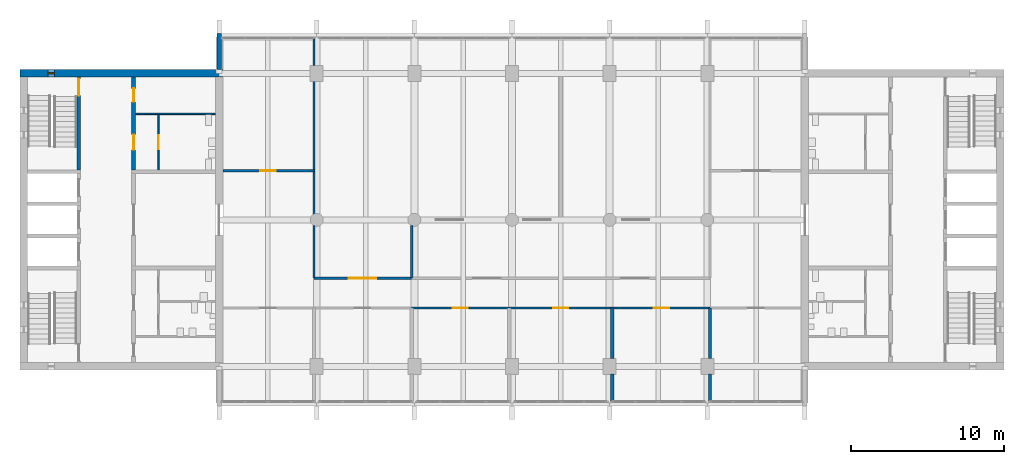
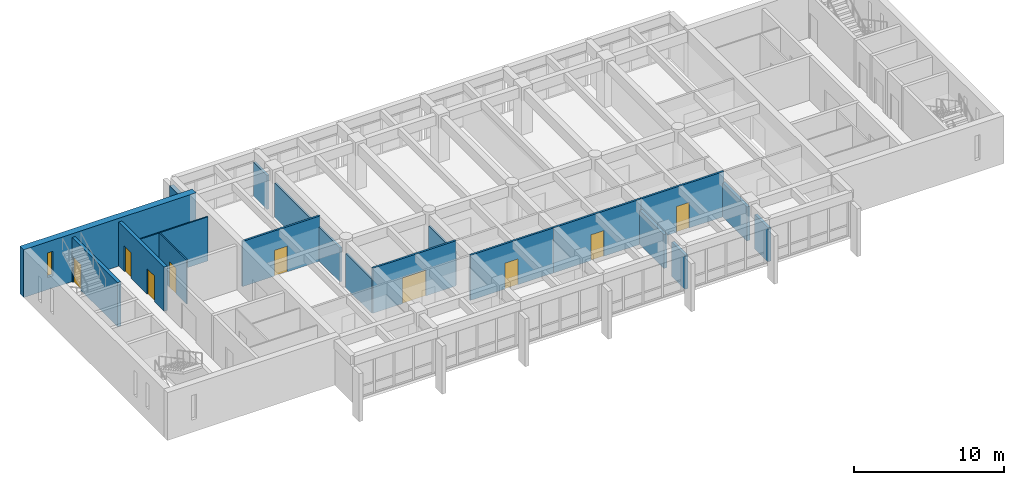
# One storey, part 10 of 15: 19 walls, 9 doors, 1 window, 10 openings.
"""IFC4 building model written with IfcOpenShell, lengths in metres."""

from ifc_helpers import new_model, si_unit, direction, frame, frame_2d, origin, place, context, subcontext, project, spatial, rectangle, extrude, material, layer, layer_set, type_object, element, fill, save


model = new_model("IFC4")

# Units and contexts
model_context = context("Model", 3, precision=1e-05, world=origin(), true_north=direction((0.0, 1.0)))
body_context = subcontext(model_context, "Body", "Model", "MODEL_VIEW")
ifc_project = project(units=[si_unit("LENGTHUNIT", "METRE"), si_unit("AREAUNIT", "SQUARE_METRE"), si_unit("VOLUMEUNIT", "CUBIC_METRE"), si_unit("PLANEANGLEUNIT", "RADIAN"), si_unit("MASSUNIT", "GRAM", prefix="KILO")], contexts=[model_context])

# Site, building, storey
site_placement = place(None, origin())
site = spatial("IfcSite", under=ifc_project, at=site_placement, CompositionType="ELEMENT")
building_placement = place(site_placement, origin())
building = spatial("IfcBuilding", under=site, at=building_placement, Name="Fogon Plaza Fire Station and Headquarters Tower", CompositionType="ELEMENT")
storey_placement = place(building_placement, frame((0.0, 0.0, 56.10009765625)))
storey = spatial("IfcBuildingStorey", under=building, at=storey_placement, Name="L14", CompositionType="ELEMENT", Elevation=56.10009765625)

# Wall, opening, door
ifc_material_1 = material(Name="Concrete C40", Category="concrete")
ifc_layer_1 = layer(ifc_material_1, 0.25)
ifc_layer_set_1 = layer_set([ifc_layer_1], Name="Concrete C40")
wall_type_1 = type_object("IfcWallType", Name="Core Wall RC 250", PredefinedType="SOLIDWALL", material=ifc_layer_set_1)
wall_1_placement = place(storey_placement, frame((16.39990234375, 46.47509765625, 0.0), z_axis=(0.0, 0.0, 1.0), x_axis=(0.0, 1.0, 0.0)))
wall_1 = element("IfcWall", 1, at=wall_1_placement, inside=storey, type_object=wall_type_1, Name="Core A shaft wall", PredefinedType="SOLIDWALL", context=body_context, shape_type="SweptSolid", body=[
    extrude(rectangle(XDim=6.074951171875, YDim=0.25, at=frame_2d((3.03759765625, 0.0))), origin(), (0.0, 0.0, 1.0), 3.599853515625),
])
opening_1_placement = place(wall_1_placement, frame((4.875, 0.0, 0.0)))
opening_1 = element("IfcOpeningElement", 2, at=opening_1_placement, cuts=wall_1, Name="Opening L14-D02", PredefinedType="OPENING", context=body_context, shape_type="SweptSolid", body=[
    extrude(rectangle(XDim=1.10009765625, YDim=2.10009765625, at=frame_2d((0.550048828125, 1.050048828125))), frame((0.0, 0.135009765625, 0.0), z_axis=(0.0, -1.0, 0.0), x_axis=(1.0, 0.0, 0.0)), (0.0, 0.0, 1.0), 0.27001953125),
])
ifc_material_2 = material(Name="Steel Fire Door Leaf", Category="steel")
door_type_1 = type_object("IfcDoorType", Name="Stair Door Single 1100x2100", OperationType="SINGLE_SWING_LEFT", PredefinedType="DOOR", material=ifc_material_2)
door_1_placement = place(opening_1_placement, origin())
door_1 = element("IfcDoor", 3, at=door_1_placement, inside=storey, type_object=door_type_1, Name="Stair door ST2", OperationType="SINGLE_SWING_RIGHT", OverallHeight=2.10009765625, OverallWidth=1.10009765625, PredefinedType="DOOR", context=body_context, shape_type="SweptSolid", body=[
    extrude(rectangle(XDim=1.10009765625, YDim=2.10009765625, at=frame_2d((0.550048828125, 1.050048828125))), frame((0.0, 0.02490234375, 0.0), z_axis=(0.0, -1.0, 0.0), x_axis=(1.0, 0.0, 0.0)), (0.0, 0.0, 1.0), 0.050048828125),
])
fill(opening_1, door_1)

# Wall, openings, doors
wall_2_placement = place(storey_placement, frame((20.0, 46.47509765625, 0.0), z_axis=(0.0, 0.0, 1.0), x_axis=(0.0, 1.0, 0.0)))
wall_2 = element("IfcWall", 4, at=wall_2_placement, inside=storey, type_object=wall_type_1, Name="Core A shaft wall", PredefinedType="SOLIDWALL", context=body_context, shape_type="SweptSolid", body=[
    extrude(rectangle(XDim=6.074951171875, YDim=0.25, at=frame_2d((3.03759765625, 0.0))), origin(), (0.0, 0.0, 1.0), 3.599853515625),
])
opening_2_placement = place(wall_2_placement, frame((1.3125, 0.0, 0.0)))
opening_2 = element("IfcOpeningElement", 5, at=opening_2_placement, cuts=wall_2, Name="Opening L14-D12", PredefinedType="OPENING", context=body_context, shape_type="SweptSolid", body=[
    extrude(rectangle(XDim=1.0, YDim=2.10009765625, at=frame_2d((0.5, 1.050048828125))), frame((0.0, 0.135009765625, 0.0), z_axis=(0.0, -1.0, 0.0), x_axis=(1.0, 0.0, 0.0)), (0.0, 0.0, 1.0), 0.27001953125),
])
opening_3_placement = place(wall_2_placement, frame((4.449951171875, 0.0, 0.0)))
opening_3 = element("IfcOpeningElement", 6, at=opening_3_placement, cuts=wall_2, Name="Opening L14-D14", PredefinedType="OPENING", context=body_context, shape_type="SweptSolid", body=[
    extrude(rectangle(XDim=0.89990234375, YDim=2.10009765625, at=frame_2d((0.449951171875, 1.050048828125))), frame((0.0, 0.135009765625, 0.0), z_axis=(0.0, -1.0, 0.0), x_axis=(1.0, 0.0, 0.0)), (0.0, 0.0, 1.0), 0.27001953125),
])
ifc_material_3 = material(Name="Steel Fire Door Leaf", Category="steel")
door_type_2 = type_object("IfcDoorType", Name="Riser Single 900x2100", OperationType="SINGLE_SWING_LEFT", PredefinedType="DOOR", material=ifc_material_3)
door_2_placement = place(opening_3_placement, frame((0.89990234375, 0.0, 0.0), z_axis=(0.0, 0.0, 1.0), x_axis=(-1.0, 0.0, 0.0)))
door_2 = element("IfcDoor", 7, at=door_2_placement, inside=storey, type_object=door_type_2, Name="Riser room A door", OperationType="SINGLE_SWING_RIGHT", OverallHeight=2.10009765625, OverallWidth=0.89990234375, PredefinedType="DOOR", context=body_context, shape_type="SweptSolid", body=[
    extrude(rectangle(XDim=0.89990234375, YDim=2.10009765625, at=frame_2d((0.449951171875, 1.050048828125))), frame((0.0, 0.02490234375, 0.0), z_axis=(0.0, -1.0, 0.0), x_axis=(1.0, 0.0, 0.0)), (0.0, 0.0, 1.0), 0.050048828125),
])
fill(opening_3, door_2)
ifc_material_4 = material(Name="Timber fire door", Category="wood")
door_type_3 = type_object("IfcDoorType", Name="WC Lobby Single 1000x2100", OperationType="SINGLE_SWING_LEFT", PredefinedType="DOOR", material=ifc_material_4)
door_3_placement = place(opening_2_placement, frame((1.0, 0.0, 0.0), z_axis=(0.0, 0.0, 1.0), x_axis=(-1.0, 0.0, 0.0)))
door_3 = element("IfcDoor", 8, at=door_3_placement, inside=storey, type_object=door_type_3, Name="Women's WC lobby A door", OperationType="SINGLE_SWING_RIGHT", OverallHeight=2.10009765625, OverallWidth=1.0, PredefinedType="DOOR", context=body_context, shape_type="SweptSolid", body=[
    extrude(rectangle(XDim=1.0, YDim=2.10009765625, at=frame_2d((0.5, 1.050048828125))), frame((0.0, 0.02490234375, 0.0), z_axis=(0.0, -1.0, 0.0), x_axis=(1.0, 0.0, 0.0)), (0.0, 0.0, 1.0), 0.050048828125),
])
fill(opening_2, door_3)

# Wall
ifc_material_5 = material(Name="Concrete C40", Category="concrete")
ifc_layer_2 = layer(ifc_material_5, 0.300048828125)
ifc_layer_set_2 = layer_set([ifc_layer_2], Name="Concrete C40")
wall_type_2 = type_object("IfcWallType", Name="Fair-faced RC Return Panel 300", PredefinedType="SOLIDWALL", material=ifc_layer_set_2)
wall_3_placement = place(storey_placement, frame((25.60009765625, 53.050048828125, 0.0), z_axis=(0.0, 0.0, 1.0), x_axis=(0.0, 1.0, 0.0)))
element("IfcWall", 9, at=wall_3_placement, inside=storey, type_object=wall_type_2, Name="Bar end return WN L14", PredefinedType="SOLIDWALL", context=body_context, shape_type="SweptSolid", body=[
    extrude(rectangle(XDim=2.349853515625, YDim=0.300048828125, at=frame_2d((1.1748046875, 0.0))), origin(), (0.0, 0.0, 1.0), 2.8798828125),
])

# Wall, opening, door
ifc_material_6 = material(Name="Blockwork", Category="masonry")
ifc_layer_3 = layer(ifc_material_6, 0.10009765625)
ifc_layer_set_3 = layer_set([ifc_layer_3], Name="Blockwork")
wall_type_3 = type_object("IfcWallType", Name="Partition Blockwork 100", PredefinedType="PARTITIONING", material=ifc_layer_set_3)
wall_4_placement = place(storey_placement, frame((21.625, 46.47509765625, 0.0), z_axis=(0.0, 0.0, 1.0), x_axis=(0.0, 1.0, 0.0)))
wall_4 = element("IfcWall", 10, at=wall_4_placement, inside=storey, type_object=wall_type_3, Name="WC block partition", PredefinedType="PARTITIONING", context=body_context, shape_type="SweptSolid", body=[
    extrude(rectangle(XDim=3.625, YDim=0.10009765625, at=frame_2d((1.8125, 0.0))), origin(), (0.0, 0.0, 1.0), 3.599853515625),
])
opening_4_placement = place(wall_4_placement, frame((1.362548828125, 0.0, 0.0)))
opening_4 = element("IfcOpeningElement", 11, at=opening_4_placement, cuts=wall_4, Name="Opening L14-D13", PredefinedType="OPENING", context=body_context, shape_type="SweptSolid", body=[
    extrude(rectangle(XDim=0.89990234375, YDim=2.10009765625, at=frame_2d((0.449951171875, 1.050048828125))), frame((0.0, 0.06005859375, 0.0), z_axis=(0.0, -1.0, 0.0), x_axis=(1.0, 0.0, 0.0)), (0.0, 0.0, 1.0), 0.1201171875),
])
ifc_material_7 = material(Name="Timber Door Leaf", Category="wood")
door_type_4 = type_object("IfcDoorType", Name="WC Single 900x2100", OperationType="SINGLE_SWING_LEFT", PredefinedType="DOOR", material=ifc_material_7)
door_4_placement = place(opening_4_placement, frame((0.89990234375, 0.0, 0.0), z_axis=(0.0, 0.0, 1.0), x_axis=(-1.0, 0.0, 0.0)))
door_4 = element("IfcDoor", 12, at=door_4_placement, inside=storey, type_object=door_type_4, Name="Women's WC A door", OperationType="SINGLE_SWING_LEFT", OverallHeight=2.10009765625, OverallWidth=0.89990234375, PredefinedType="DOOR", context=body_context, shape_type="SweptSolid", body=[
    extrude(rectangle(XDim=0.89990234375, YDim=2.10009765625, at=frame_2d((0.449951171875, 1.050048828125))), frame((0.0, 0.02490234375, 0.0), z_axis=(0.0, -1.0, 0.0), x_axis=(1.0, 0.0, 0.0)), (0.0, 0.0, 1.0), 0.050048828125),
])
fill(opening_4, door_4)

# Wall
ifc_material_8 = material(Name="Blockwork", Category="masonry")
ifc_layer_4 = layer(ifc_material_8, 0.10009765625)
ifc_layer_set_4 = layer_set([ifc_layer_4], Name="Blockwork")
wall_type_4 = type_object("IfcWallType", Name="Riser Partition Blockwork 100", PredefinedType="PARTITIONING", material=ifc_layer_set_4)
wall_5_placement = place(storey_placement, frame((20.125, 50.14990234375, 0.0), z_axis=(0.0, 0.0, 1.0), x_axis=(1.0, 0.0, 0.0)))
element("IfcWall", 13, at=wall_5_placement, inside=storey, type_object=wall_type_4, Name="Riser room partition", PredefinedType="PARTITIONING", context=body_context, shape_type="SweptSolid", body=[
    extrude(rectangle(XDim=5.22509765625, YDim=0.10009765625, at=frame_2d((2.612548828125, 0.0))), origin(), (0.0, 0.0, 1.0), 3.599853515625),
])

# Wall, opening, window
ifc_material_9 = material(Name="Concrete C40", Category="concrete")
ifc_layer_5 = layer(ifc_material_9, 0.5)
ifc_layer_set_5 = layer_set([ifc_layer_5], Name="Concrete C40")
wall_type_5 = type_object("IfcWallType", Name="Shear wall 500 SW50", PredefinedType="SHEAR", material=ifc_layer_set_5)
wall_6_placement = place(storey_placement, frame((12.550048828125, 52.800048828125, 0.0), z_axis=(0.0, 0.0, 1.0), x_axis=(1.0, 0.0, 0.0)))
wall_6 = element("IfcWall", 14, at=wall_6_placement, inside=storey, type_object=wall_type_5, Name="wall-coreA-N-L14", PredefinedType="SHEAR", context=body_context, shape_type="SweptSolid", body=[
    extrude(rectangle(XDim=13.300048828125, YDim=0.5, at=frame_2d((6.64990234375, 0.0))), origin(), (0.0, 0.0, 1.0), 3.89990234375),
])
opening_5_placement = place(wall_6_placement, frame((1.85009765625, 0.0, 1.0)))
opening_5 = element("IfcOpeningElement", 15, at=opening_5_placement, cuts=wall_6, Name="Opening WS1", PredefinedType="OPENING", context=body_context, shape_type="SweptSolid", body=[
    extrude(rectangle(XDim=0.39990234375, YDim=2.0, at=frame_2d((0.199951171875, 1.0))), frame((0.0, 0.260009765625, 0.0), z_axis=(0.0, -1.0, 0.0), x_axis=(1.0, 0.0, 0.0)), (0.0, 0.0, 1.0), 0.52001953125),
])
ifc_material_10 = material(Name="Aluminium framed double glazing", Category="aluminium")
window_type = type_object("IfcWindowType", Name="Slit Window WS1 400x2000", PartitioningType="SINGLE_PANEL", PredefinedType="WINDOW", material=ifc_material_10)
window_placement = place(opening_5_placement, origin())
window = element("IfcWindow", 16, at=window_placement, inside=storey, type_object=window_type, Name="Slit window A6 L14", OverallHeight=2.0, OverallWidth=0.39990234375, PartitioningType="SINGLE_PANEL", PredefinedType="WINDOW", context=body_context, shape_type="SweptSolid", body=[
    extrude(rectangle(XDim=0.39990234375, YDim=2.0, at=frame_2d((0.199951171875, 1.0))), frame((0.0, 0.030029296875, 0.0), z_axis=(0.0, -1.0, 0.0), x_axis=(1.0, 0.0, 0.0)), (0.0, 0.0, 1.0), 0.06005859375),
])
fill(opening_5, window)

# Walls
ifc_material_11 = material(Name="Timber veneer panel on twin steel stud", Category="steel")
ifc_layer_6 = layer(ifc_material_11, 0.22509765625)
ifc_layer_set_6 = layer_set([ifc_layer_6], Name="Timber veneer panel on twin steel stud")
wall_type_6 = type_object("IfcWallType", Name="Tower boardroom partition 225", PredefinedType="PARTITIONING", material=ifc_layer_set_6)
wall_7_placement = place(storey_placement, frame((51.3798828125, 31.300048828125, 0.0), z_axis=(0.0, 0.0, 1.0), x_axis=(0.0, 1.0, 0.0)))
element("IfcWall", 17, at=wall_7_placement, inside=storey, type_object=wall_type_6, Name="part-L14-13", PredefinedType="PARTITIONING", context=body_context, shape_type="SweptSolid", body=[
    extrude(rectangle(XDim=1.794921875, YDim=0.22509765625, at=frame_2d((0.8974609375, 0.0))), origin(), (0.0, 0.0, 1.0), 2.77978515625),
])
wall_8_placement = place(storey_placement, frame((51.3798828125, 34.10498046875, 0.0), z_axis=(0.0, 0.0, 1.0), x_axis=(0.0, 1.0, 0.0)))
element("IfcWall", 18, at=wall_8_placement, inside=storey, type_object=wall_type_6, Name="part-L14-14", PredefinedType="PARTITIONING", context=body_context, shape_type="SweptSolid", body=[
    extrude(rectangle(XDim=3.320068359375, YDim=0.22509765625, at=frame_2d((1.66015625, 0.0))), origin(), (0.0, 0.0, 1.0), 2.77978515625),
])
wall_9_placement = place(storey_placement, frame((57.780029296875, 31.300048828125, 0.0), z_axis=(0.0, 0.0, 1.0), x_axis=(0.0, 1.0, 0.0)))
element("IfcWall", 19, at=wall_9_placement, inside=storey, type_object=wall_type_6, Name="part-L14-15", PredefinedType="PARTITIONING", context=body_context, shape_type="SweptSolid", body=[
    extrude(rectangle(XDim=1.794921875, YDim=0.22509765625, at=frame_2d((0.8974609375, 0.0))), origin(), (0.0, 0.0, 1.0), 2.77978515625),
])
wall_10_placement = place(storey_placement, frame((57.780029296875, 34.10498046875, 0.0), z_axis=(0.0, 0.0, 1.0), x_axis=(0.0, 1.0, 0.0)))
element("IfcWall", 20, at=wall_10_placement, inside=storey, type_object=wall_type_6, Name="part-L14-16", PredefinedType="PARTITIONING", context=body_context, shape_type="SweptSolid", body=[
    extrude(rectangle(XDim=3.320068359375, YDim=0.22509765625, at=frame_2d((1.66015625, 0.0))), origin(), (0.0, 0.0, 1.0), 2.77978515625),
])

# Wall, opening, door
ifc_material_12 = material(Name="Gypsum board on steel stud", Category="steel")
ifc_layer_7 = layer(ifc_material_12, 0.14990234375)
ifc_layer_set_7 = layer_set([ifc_layer_7], Name="Gypsum board on steel stud")
wall_type_7 = type_object("IfcWallType", Name="Tower corridor partition 150 EI 60", PredefinedType="PARTITIONING", material=ifc_layer_set_7)
wall_11_placement = place(storey_placement, frame((38.219970703125, 37.425048828125, 0.0), z_axis=(0.0, 0.0, 1.0), x_axis=(1.0, 0.0, 0.0)))
wall_11 = element("IfcWall", 21, at=wall_11_placement, inside=storey, type_object=wall_type_7, Name="part-L14-03", PredefinedType="PARTITIONING", context=body_context, shape_type="SweptSolid", body=[
    extrude(rectangle(XDim=6.400146484375, YDim=0.14990234375, at=frame_2d((3.2001953125, 0.0))), origin(), (0.0, 0.0, 1.0), 3.679931640625),
])
opening_6_placement = place(wall_11_placement, frame((2.679931640625, 0.0, 0.0)))
opening_6 = element("IfcOpeningElement", 22, at=opening_6_placement, cuts=wall_11, Name="Opening L14-D31", PredefinedType="OPENING", context=body_context, shape_type="SweptSolid", body=[
    extrude(rectangle(XDim=1.0, YDim=2.10009765625, at=frame_2d((0.5, 1.050048828125))), frame((0.0, 0.0849609375, 0.0), z_axis=(0.0, -1.0, 0.0), x_axis=(1.0, 0.0, 0.0)), (0.0, 0.0, 1.0), 0.169921875),
])
ifc_material_13 = material(Name="Timber fire door", Category="wood")
door_type_5 = type_object("IfcDoorType", Name="Tower fire door single 1000 EI 20", OperationType="SINGLE_SWING_LEFT", PredefinedType="DOOR", material=ifc_material_13)
door_5_placement = place(opening_6_placement, frame((1.0, 0.0, 0.0), z_axis=(0.0, 0.0, 1.0), x_axis=(-1.0, 0.0, 0.0)))
door_5 = element("IfcDoor", 23, at=door_5_placement, inside=storey, type_object=door_type_5, Name="door-L14-03", OperationType="SINGLE_SWING_RIGHT", OverallHeight=2.10009765625, OverallWidth=1.0, PredefinedType="DOOR", context=body_context, shape_type="SweptSolid", body=[
    extrude(rectangle(XDim=1.0, YDim=2.10009765625, at=frame_2d((0.5, 1.050048828125))), frame((0.0, 0.02490234375, 0.0), z_axis=(0.0, -1.0, 0.0), x_axis=(1.0, 0.0, 0.0)), (0.0, 0.0, 1.0), 0.050048828125),
])
fill(opening_6, door_5)

wall_12_placement = place(storey_placement, frame((44.6201171875, 37.425048828125, 0.0), z_axis=(0.0, 0.0, 1.0), x_axis=(1.0, 0.0, 0.0)))
wall_12 = element("IfcWall", 24, at=wall_12_placement, inside=storey, type_object=wall_type_7, Name="part-L14-04", PredefinedType="PARTITIONING", context=body_context, shape_type="SweptSolid", body=[
    extrude(rectangle(XDim=6.759765625, YDim=0.14990234375, at=frame_2d((3.3798828125, 0.0))), origin(), (0.0, 0.0, 1.0), 3.679931640625),
])
opening_7_placement = place(wall_12_placement, frame((2.8798828125, 0.0, 0.0)))
opening_7 = element("IfcOpeningElement", 25, at=opening_7_placement, cuts=wall_12, Name="Opening L14-D32", PredefinedType="OPENING", context=body_context, shape_type="SweptSolid", body=[
    extrude(rectangle(XDim=1.0, YDim=2.10009765625, at=frame_2d((0.5, 1.050048828125))), frame((0.0, 0.0849609375, 0.0), z_axis=(0.0, -1.0, 0.0), x_axis=(1.0, 0.0, 0.0)), (0.0, 0.0, 1.0), 0.169921875),
])
door_6_placement = place(opening_7_placement, frame((1.0, 0.0, 0.0), z_axis=(0.0, 0.0, 1.0), x_axis=(-1.0, 0.0, 0.0)))
door_6 = element("IfcDoor", 26, at=door_6_placement, inside=storey, type_object=door_type_5, Name="door-L14-04", OperationType="SINGLE_SWING_LEFT", OverallHeight=2.10009765625, OverallWidth=1.0, PredefinedType="DOOR", context=body_context, shape_type="SweptSolid", body=[
    extrude(rectangle(XDim=1.0, YDim=2.10009765625, at=frame_2d((0.5, 1.050048828125))), frame((0.0, 0.02490234375, 0.0), z_axis=(0.0, -1.0, 0.0), x_axis=(1.0, 0.0, 0.0)), (0.0, 0.0, 1.0), 0.050048828125),
])
fill(opening_7, door_6)

wall_13_placement = place(storey_placement, frame((51.3798828125, 37.425048828125, 0.0), z_axis=(0.0, 0.0, 1.0), x_axis=(1.0, 0.0, 0.0)))
wall_13 = element("IfcWall", 27, at=wall_13_placement, inside=storey, type_object=wall_type_7, Name="part-L14-05", PredefinedType="PARTITIONING", context=body_context, shape_type="SweptSolid", body=[
    extrude(rectangle(XDim=6.400146484375, YDim=0.14990234375, at=frame_2d((3.2001953125, 0.0))), origin(), (0.0, 0.0, 1.0), 3.679931640625),
])
opening_8_placement = place(wall_13_placement, frame((2.719970703125, 0.0, 0.0)))
opening_8 = element("IfcOpeningElement", 28, at=opening_8_placement, cuts=wall_13, Name="Opening L14-D33", PredefinedType="OPENING", context=body_context, shape_type="SweptSolid", body=[
    extrude(rectangle(XDim=1.0, YDim=2.10009765625, at=frame_2d((0.5, 1.050048828125))), frame((0.0, 0.0849609375, 0.0), z_axis=(0.0, -1.0, 0.0), x_axis=(1.0, 0.0, 0.0)), (0.0, 0.0, 1.0), 0.169921875),
])
door_7_placement = place(opening_8_placement, frame((1.0, 0.0, 0.0), z_axis=(0.0, 0.0, 1.0), x_axis=(-1.0, 0.0, 0.0)))
door_7 = element("IfcDoor", 29, at=door_7_placement, inside=storey, type_object=door_type_5, Name="door-L14-05", OperationType="SINGLE_SWING_RIGHT", OverallHeight=2.10009765625, OverallWidth=1.0, PredefinedType="DOOR", context=body_context, shape_type="SweptSolid", body=[
    extrude(rectangle(XDim=1.0, YDim=2.10009765625, at=frame_2d((0.5, 1.050048828125))), frame((0.0, 0.02490234375, 0.0), z_axis=(0.0, -1.0, 0.0), x_axis=(1.0, 0.0, 0.0)), (0.0, 0.0, 1.0), 0.050048828125),
])
fill(opening_8, door_7)

wall_14_placement = place(storey_placement, frame((31.820068359375, 39.375, 0.0), z_axis=(0.0, 0.0, 1.0), x_axis=(1.0, 0.0, 0.0)))
wall_14 = element("IfcWall", 30, at=wall_14_placement, inside=storey, type_object=wall_type_7, Name="part-L14-17", PredefinedType="PARTITIONING", context=body_context, shape_type="SweptSolid", body=[
    extrude(rectangle(XDim=6.39990234375, YDim=0.14990234375, at=frame_2d((3.199951171875, 0.0))), origin(), (0.0, 0.0, 1.0), 3.679931640625),
])
opening_9_placement = place(wall_14_placement, frame((2.280029296875, 0.0, 0.0)))
opening_9 = element("IfcOpeningElement", 31, at=opening_9_placement, cuts=wall_14, Name="Opening L14-D35", PredefinedType="OPENING", context=body_context, shape_type="SweptSolid", body=[
    extrude(rectangle(XDim=1.800048828125, YDim=2.10009765625, at=frame_2d((0.89990234375, 1.050048828125))), frame((0.0, 0.0849609375, 0.0), z_axis=(0.0, -1.0, 0.0), x_axis=(1.0, 0.0, 0.0)), (0.0, 0.0, 1.0), 0.169921875),
])
ifc_material_14 = material(Name="Timber fire door", Category="wood")
door_type_6 = type_object("IfcDoorType", Name="Tower fire door double 1800 EI 20", OperationType="DOUBLE_DOOR_SINGLE_SWING", PredefinedType="DOOR", material=ifc_material_14)
door_8_placement = place(opening_9_placement, origin())
door_8 = element("IfcDoor", 32, at=door_8_placement, inside=storey, type_object=door_type_6, Name="door-L14-07", OperationType="DOUBLE_DOOR_SINGLE_SWING", OverallHeight=2.10009765625, OverallWidth=1.800048828125, PredefinedType="DOOR", context=body_context, shape_type="SweptSolid", body=[
    extrude(rectangle(XDim=1.800048828125, YDim=2.10009765625, at=frame_2d((0.89990234375, 1.050048828125))), frame((0.0, 0.02490234375, 0.0), z_axis=(0.0, -1.0, 0.0), x_axis=(1.0, 0.0, 0.0)), (0.0, 0.0, 1.0), 0.050048828125),
])
fill(opening_9, door_8)

wall_15_placement = place(storey_placement, frame((25.85009765625, 46.425048828125, 0.0), z_axis=(0.0, 0.0, 1.0), x_axis=(1.0, 0.0, 0.0)))
wall_15 = element("IfcWall", 33, at=wall_15_placement, inside=storey, type_object=wall_type_7, Name="part-L14-22", PredefinedType="PARTITIONING", context=body_context, shape_type="SweptSolid", body=[
    extrude(rectangle(XDim=5.969970703125, YDim=0.14990234375, at=frame_2d((2.98486328125, 0.0))), origin(), (0.0, 0.0, 1.0), 3.679931640625),
])
opening_10_placement = place(wall_15_placement, frame((2.449951171875, 0.0, 0.0)))
opening_10 = element("IfcOpeningElement", 34, at=opening_10_placement, cuts=wall_15, Name="Opening L14-D38", PredefinedType="OPENING", context=body_context, shape_type="SweptSolid", body=[
    extrude(rectangle(XDim=1.0, YDim=2.10009765625, at=frame_2d((0.5, 1.050048828125))), frame((0.0, 0.0849609375, 0.0), z_axis=(0.0, -1.0, 0.0), x_axis=(1.0, 0.0, 0.0)), (0.0, 0.0, 1.0), 0.169921875),
])
door_9_placement = place(opening_10_placement, origin())
door_9 = element("IfcDoor", 35, at=door_9_placement, inside=storey, type_object=door_type_5, Name="door-L14-10", OperationType="SINGLE_SWING_LEFT", OverallHeight=2.10009765625, OverallWidth=1.0, PredefinedType="DOOR", context=body_context, shape_type="SweptSolid", body=[
    extrude(rectangle(XDim=1.0, YDim=2.10009765625, at=frame_2d((0.5, 1.050048828125))), frame((0.0, 0.02490234375, 0.0), z_axis=(0.0, -1.0, 0.0), x_axis=(1.0, 0.0, 0.0)), (0.0, 0.0, 1.0), 0.050048828125),
])
fill(opening_10, door_9)

# Walls
ifc_material_15 = material(Name="Gypsum board on steel stud", Category="steel")
ifc_layer_8 = layer(ifc_material_15, 0.14990234375)
ifc_layer_set_8 = layer_set([ifc_layer_8], Name="Gypsum board on steel stud")
wall_type_8 = type_object("IfcWallType", Name="Tower corridor partition 150 EI 60 Beam Head 900", PredefinedType="PARTITIONING", material=ifc_layer_set_8)
for number, where, z_axis, x_axis, name in (
    (36, (38.219970703125, 39.375, 0.0), (0.0, 0.0, 1.0), (0.0, 1.0, 0.0), "part-L14-19"),
    (37, (31.820068359375, 39.375, 0.0), (0.0, 0.0, 1.0), (0.0, 1.0, 0.0), "part-L14-23"),
):
    element("IfcWall", number, at=place(storey_placement, frame(where, z_axis=z_axis, x_axis=x_axis)), inside=storey, type_object=wall_type_8, Name=name, PredefinedType="PARTITIONING", context=body_context, shape_type="SweptSolid", body=[
        extrude(rectangle(XDim=3.4599609375, YDim=0.14990234375, at=frame_2d((1.72998046875, 0.0))), origin(), (0.0, 0.0, 1.0), 2.77978515625),
    ])
wall_16_placement = place(storey_placement, frame((31.820068359375, 43.56494140625, 0.0), z_axis=(0.0, 0.0, 1.0), x_axis=(0.0, 1.0, 0.0)))
element("IfcWall", 38, at=wall_16_placement, inside=storey, type_object=wall_type_8, Name="part-L14-24", PredefinedType="PARTITIONING", context=body_context, shape_type="SweptSolid", body=[
    extrude(rectangle(XDim=8.72998046875, YDim=0.14990234375, at=frame_2d((4.364990234375, 0.0))), origin(), (0.0, 0.0, 1.0), 2.77978515625),
])
wall_17_placement = place(storey_placement, frame((31.820068359375, 53.304931640625, 0.0), z_axis=(0.0, 0.0, 1.0), x_axis=(0.0, 1.0, 0.0)))
element("IfcWall", 39, at=wall_17_placement, inside=storey, type_object=wall_type_8, Name="part-L14-25", PredefinedType="PARTITIONING", context=body_context, shape_type="SweptSolid", body=[
    extrude(rectangle(XDim=1.795166015625, YDim=0.14990234375, at=frame_2d((0.8974609375, 0.0))), origin(), (0.0, 0.0, 1.0), 2.77978515625),
])

save(model, "model.ifc")
